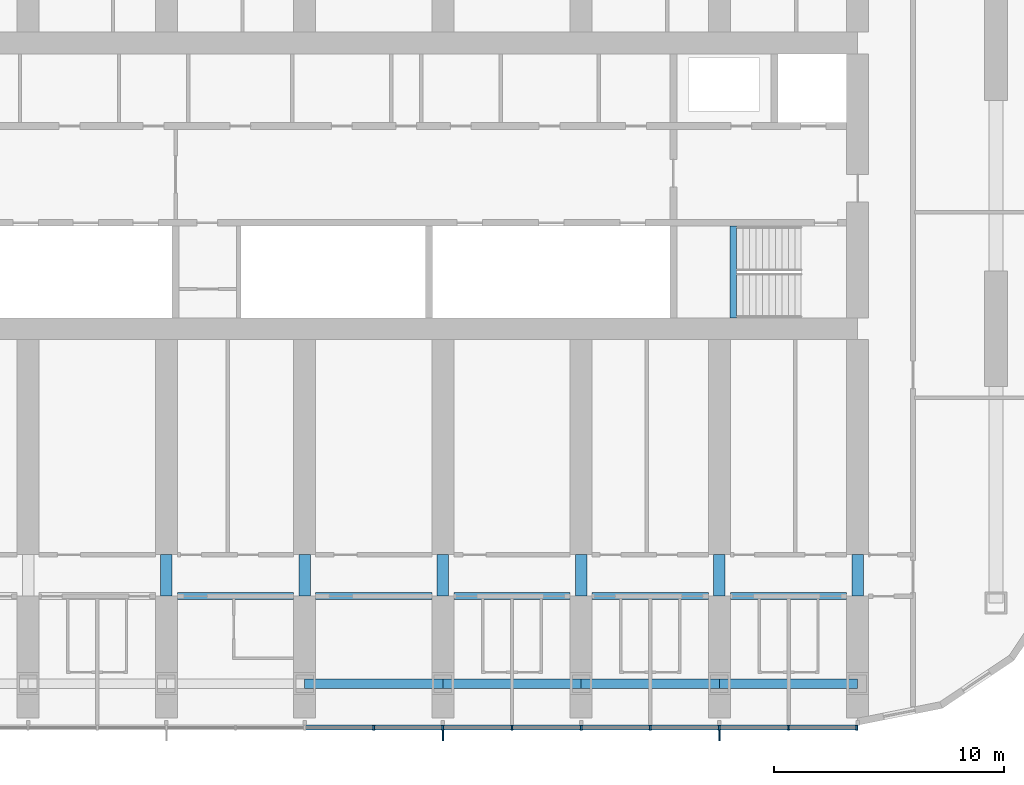
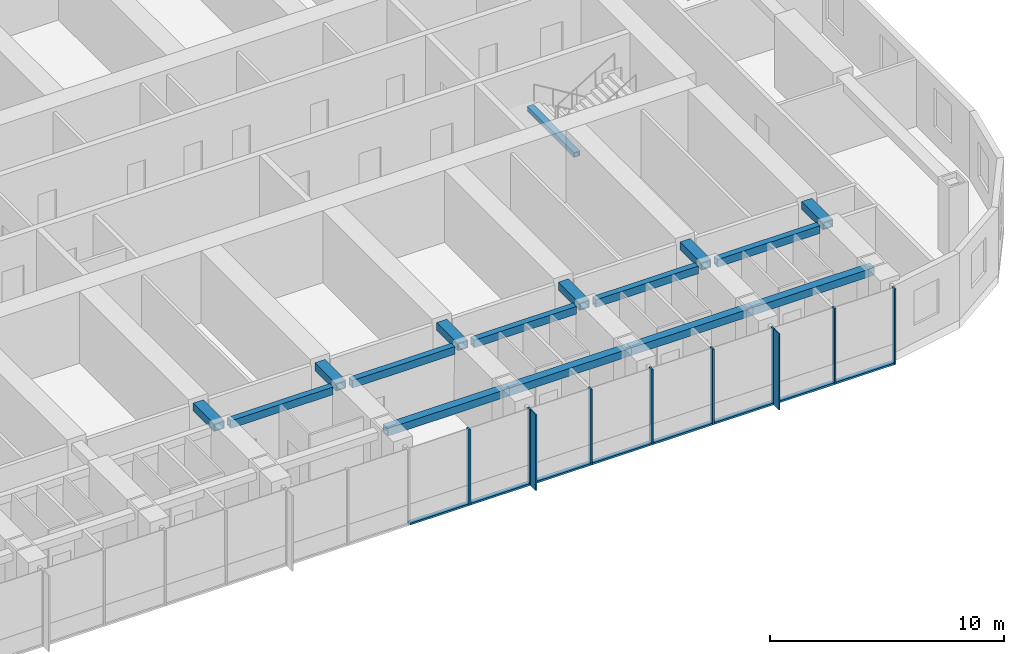
# One storey, part 5 of 26: 18 members, 16 beams, 1 element without a shape of its own.
"""IFC4 building model written with IfcOpenShell, lengths in metres."""

from ifc_helpers import new_model, si_unit, direction, frame, origin, origin_2d, place, context, subcontext, project, spatial, rectangle, hollow_rectangle, extrude, material, material_profile, profile_set, type_object, element, aggregate, save


model = new_model("IFC4")

# Units and contexts
model_context = context("Model", 3, precision=1e-05, world=origin(), true_north=direction((0.0, 1.0)))
body_context = subcontext(model_context, "Body", "Model", "MODEL_VIEW")
ifc_project = project(units=[si_unit("LENGTHUNIT", "METRE"), si_unit("AREAUNIT", "SQUARE_METRE"), si_unit("VOLUMEUNIT", "CUBIC_METRE"), si_unit("PLANEANGLEUNIT", "RADIAN"), si_unit("MASSUNIT", "GRAM", prefix="KILO")], contexts=[model_context])

# Site, building, storey
site_placement = place(None, origin())
site = spatial("IfcSite", under=ifc_project, at=site_placement, CompositionType="ELEMENT")
building_placement = place(site_placement, origin())
building = spatial("IfcBuilding", under=site, at=building_placement, Name="Orbita Commons", CompositionType="ELEMENT")
storey_placement = place(building_placement, frame((0.0, 0.0, 114.39990234375)))
storey = spatial("IfcBuildingStorey", under=building, at=storey_placement, Name="L28", CompositionType="ELEMENT", Elevation=114.39990234375)

# Curtain wall, members
ifc_material_1 = material(Name="Anodised aluminium frame, pale silver", Category="aluminium")
curtain_wall_type = type_object("IfcCurtainWallType", Name="Unitised curtain wall CW-T, vision and spandrel", PredefinedType="NOTDEFINED", material=ifc_material_1)
curtain_wall_placement = place(storey_placement, origin())
curtain_wall = element("IfcCurtainWall", 1, at=curtain_wall_placement, inside=storey, type_object=curtain_wall_type, Name="Curtain wall south L28", PredefinedType="NOTDEFINED")
ifc_material_2 = material(Name="Anodised aluminium, pale silver", Category="aluminium")
ifc_material_profile_1 = material_profile(ifc_material_2, rectangle(XDim=0.080078125, YDim=0.219970703125, at=origin_2d()), Name="AL 80x220")
ifc_profile_set_1 = profile_set([ifc_material_profile_1], Name="Anodised aluminium, pale silver")
member_type_1 = type_object("IfcMemberType", Name="Curtain wall mullion 80x220", PredefinedType="MULLION", material=ifc_profile_set_1)
member_1_placement = place(storey_placement, frame((45.0, 8.489990234375, -0.449951171875), z_axis=(0.0, 0.0, 1.0), x_axis=(1.0, 0.0, 0.0)))
member_1 = element("IfcMember", 2, at=member_1_placement, type_object=member_type_1, Name="Mullion 12 CW-L28-S", PredefinedType="MULLION", context=body_context, shape_type="SweptSolid", body=[
    extrude(rectangle(XDim=0.080078125, YDim=0.219970703125, at=origin_2d()), origin(), (0.0, 0.0, 1.0), 3.949951171875),
])
member_2_placement = place(storey_placement, frame((48.0, 8.489990234375, -0.449951171875), z_axis=(0.0, 0.0, 1.0), x_axis=(1.0, 0.0, 0.0)))
member_2 = element("IfcMember", 3, at=member_2_placement, type_object=member_type_1, Name="Mullion 13 CW-L28-S", PredefinedType="MULLION", context=body_context, shape_type="SweptSolid", body=[
    extrude(rectangle(XDim=0.080078125, YDim=0.219970703125, at=origin_2d()), origin(), (0.0, 0.0, 1.0), 3.949951171875),
])
member_3_placement = place(storey_placement, frame((51.0, 8.489990234375, -0.449951171875), z_axis=(0.0, 0.0, 1.0), x_axis=(1.0, 0.0, 0.0)))
member_3 = element("IfcMember", 4, at=member_3_placement, type_object=member_type_1, Name="Mullion 14 CW-L28-S", PredefinedType="MULLION", context=body_context, shape_type="SweptSolid", body=[
    extrude(rectangle(XDim=0.080078125, YDim=0.219970703125, at=origin_2d()), origin(), (0.0, 0.0, 1.0), 3.949951171875),
])
member_4_placement = place(storey_placement, frame((54.0, 8.489990234375, -0.449951171875), z_axis=(0.0, 0.0, 1.0), x_axis=(1.0, 0.0, 0.0)))
member_4 = element("IfcMember", 5, at=member_4_placement, type_object=member_type_1, Name="Mullion 15 CW-L28-S", PredefinedType="MULLION", context=body_context, shape_type="SweptSolid", body=[
    extrude(rectangle(XDim=0.080078125, YDim=0.219970703125, at=origin_2d()), origin(), (0.0, 0.0, 1.0), 3.949951171875),
])
member_5_placement = place(storey_placement, frame((57.0, 8.489990234375, -0.449951171875), z_axis=(0.0, 0.0, 1.0), x_axis=(1.0, 0.0, 0.0)))
member_5 = element("IfcMember", 6, at=member_5_placement, type_object=member_type_1, Name="Mullion 16 CW-L28-S", PredefinedType="MULLION", context=body_context, shape_type="SweptSolid", body=[
    extrude(rectangle(XDim=0.080078125, YDim=0.219970703125, at=origin_2d()), origin(), (0.0, 0.0, 1.0), 3.949951171875),
])
member_6_placement = place(storey_placement, frame((60.0, 8.489990234375, -0.449951171875), z_axis=(0.0, 0.0, 1.0), x_axis=(1.0, 0.0, 0.0)))
member_6 = element("IfcMember", 7, at=member_6_placement, type_object=member_type_1, Name="Mullion 17 CW-L28-S", PredefinedType="MULLION", context=body_context, shape_type="SweptSolid", body=[
    extrude(rectangle(XDim=0.080078125, YDim=0.219970703125, at=origin_2d()), origin(), (0.0, 0.0, 1.0), 3.949951171875),
])
member_7_placement = place(storey_placement, frame((63.0, 8.489990234375, -0.449951171875), z_axis=(0.0, 0.0, 1.0), x_axis=(1.0, 0.0, 0.0)))
member_7 = element("IfcMember", 8, at=member_7_placement, type_object=member_type_1, Name="Mullion 18 CW-L28-S", PredefinedType="MULLION", context=body_context, shape_type="SweptSolid", body=[
    extrude(rectangle(XDim=0.080078125, YDim=0.219970703125, at=origin_2d()), origin(), (0.0, 0.0, 1.0), 3.949951171875),
])
member_8_placement = place(storey_placement, frame((65.9599609375, 8.489990234375, -0.449951171875), z_axis=(0.0, 0.0, 1.0), x_axis=(1.0, 0.0, 0.0)))
member_8 = element("IfcMember", 9, at=member_8_placement, type_object=member_type_1, Name="Mullion 19 CW-L28-S", PredefinedType="MULLION", context=body_context, shape_type="SweptSolid", body=[
    extrude(rectangle(XDim=0.080078125, YDim=0.219970703125, at=origin_2d()), origin(), (0.0, 0.0, 1.0), 3.949951171875),
])
ifc_material_3 = material(Name="Anodised aluminium, pale silver", Category="aluminium")
ifc_material_profile_2 = material_profile(ifc_material_3, rectangle(XDim=0.219970703125, YDim=0.10009765625, at=origin_2d()), Name="AL 220x100")
ifc_profile_set_2 = profile_set([ifc_material_profile_2], Name="Anodised aluminium, pale silver")
member_type_2 = type_object("IfcMemberType", Name="Curtain wall stack transom 220x100", PredefinedType="USERDEFINED", material=ifc_profile_set_2)
member_9_placement = place(storey_placement, frame((42.0400390625, 8.489990234375, -0.39990234375), z_axis=(1.0, 0.0, 0.0), x_axis=(0.0, 1.0, 0.0)))
member_9 = element("IfcMember", 10, at=member_9_placement, type_object=member_type_2, Name="Transom 11.1 CW-L28-S", ObjectType="TRANSOM", PredefinedType="USERDEFINED", context=body_context, shape_type="SweptSolid", body=[
    extrude(rectangle(XDim=0.219970703125, YDim=0.10009765625, at=origin_2d()), origin(), (0.0, 0.0, 1.0), 2.919921875),
])
member_10_placement = place(storey_placement, frame((45.0400390625, 8.489990234375, -0.39990234375), z_axis=(1.0, 0.0, 0.0), x_axis=(0.0, 1.0, 0.0)))
member_10 = element("IfcMember", 11, at=member_10_placement, type_object=member_type_2, Name="Transom 12.1 CW-L28-S", ObjectType="TRANSOM", PredefinedType="USERDEFINED", context=body_context, shape_type="SweptSolid", body=[
    extrude(rectangle(XDim=0.219970703125, YDim=0.10009765625, at=origin_2d()), origin(), (0.0, 0.0, 1.0), 2.919921875),
])
member_11_placement = place(storey_placement, frame((48.0400390625, 8.489990234375, -0.39990234375), z_axis=(1.0, 0.0, 0.0), x_axis=(0.0, 1.0, 0.0)))
member_11 = element("IfcMember", 12, at=member_11_placement, type_object=member_type_2, Name="Transom 13.1 CW-L28-S", ObjectType="TRANSOM", PredefinedType="USERDEFINED", context=body_context, shape_type="SweptSolid", body=[
    extrude(rectangle(XDim=0.219970703125, YDim=0.10009765625, at=origin_2d()), origin(), (0.0, 0.0, 1.0), 2.919921875),
])
member_12_placement = place(storey_placement, frame((51.0400390625, 8.489990234375, -0.39990234375), z_axis=(1.0, 0.0, 0.0), x_axis=(0.0, 1.0, 0.0)))
member_12 = element("IfcMember", 13, at=member_12_placement, type_object=member_type_2, Name="Transom 14.1 CW-L28-S", ObjectType="TRANSOM", PredefinedType="USERDEFINED", context=body_context, shape_type="SweptSolid", body=[
    extrude(rectangle(XDim=0.219970703125, YDim=0.10009765625, at=origin_2d()), origin(), (0.0, 0.0, 1.0), 2.919921875),
])
member_13_placement = place(storey_placement, frame((54.0400390625, 8.489990234375, -0.39990234375), z_axis=(1.0, 0.0, 0.0), x_axis=(0.0, 1.0, 0.0)))
member_13 = element("IfcMember", 14, at=member_13_placement, type_object=member_type_2, Name="Transom 15.1 CW-L28-S", ObjectType="TRANSOM", PredefinedType="USERDEFINED", context=body_context, shape_type="SweptSolid", body=[
    extrude(rectangle(XDim=0.219970703125, YDim=0.10009765625, at=origin_2d()), origin(), (0.0, 0.0, 1.0), 2.919921875),
])
member_14_placement = place(storey_placement, frame((57.0400390625, 8.489990234375, -0.39990234375), z_axis=(1.0, 0.0, 0.0), x_axis=(0.0, 1.0, 0.0)))
member_14 = element("IfcMember", 15, at=member_14_placement, type_object=member_type_2, Name="Transom 16.1 CW-L28-S", ObjectType="TRANSOM", PredefinedType="USERDEFINED", context=body_context, shape_type="SweptSolid", body=[
    extrude(rectangle(XDim=0.219970703125, YDim=0.10009765625, at=origin_2d()), origin(), (0.0, 0.0, 1.0), 2.919921875),
])
member_15_placement = place(storey_placement, frame((60.0400390625, 8.489990234375, -0.39990234375), z_axis=(1.0, 0.0, 0.0), x_axis=(0.0, 1.0, 0.0)))
member_15 = element("IfcMember", 16, at=member_15_placement, type_object=member_type_2, Name="Transom 17.1 CW-L28-S", ObjectType="TRANSOM", PredefinedType="USERDEFINED", context=body_context, shape_type="SweptSolid", body=[
    extrude(rectangle(XDim=0.219970703125, YDim=0.10009765625, at=origin_2d()), origin(), (0.0, 0.0, 1.0), 2.919921875),
])
member_16_placement = place(storey_placement, frame((63.0400390625, 8.489990234375, -0.39990234375), z_axis=(1.0, 0.0, 0.0), x_axis=(0.0, 1.0, 0.0)))
member_16 = element("IfcMember", 17, at=member_16_placement, type_object=member_type_2, Name="Transom 18.1 CW-L28-S", ObjectType="TRANSOM", PredefinedType="USERDEFINED", context=body_context, shape_type="SweptSolid", body=[
    extrude(rectangle(XDim=0.219970703125, YDim=0.10009765625, at=origin_2d()), origin(), (0.0, 0.0, 1.0), 2.8798828125),
])

# Beams
ifc_material_4 = material(Name="Steel ASTM A572 Gr 50 welded plate", Category="steel")
ifc_material_profile_3 = material_profile(ifc_material_4, hollow_rectangle(XDim=0.300048828125, YDim=0.25, WallThickness=0.02490234375, at=origin_2d()), Name="BOX 250x300x25")
ifc_profile_set_3 = profile_set([ifc_material_profile_3], Name="Steel ASTM A572 Gr 50 welded plate")
beam_type_1 = type_object("IfcBeamType", Name="Stair landing beam steel BOX 250x300x25", PredefinedType="BEAM", material=ifc_profile_set_3)
beam_placement = place(storey_placement, frame((60.60009765625, 26.260009765625, 1.550048828125), z_axis=(0.0, 1.0, 0.0), x_axis=(-1.0, 0.0, 0.0)))
element("IfcBeam", 18, at=beam_placement, inside=storey, type_object=beam_type_1, Name="Stair S2 landing beam L28 1", PredefinedType="BEAM", context=body_context, shape_type="SweptSolid", body=[
    extrude(hollow_rectangle(XDim=0.300048828125, YDim=0.25, WallThickness=0.02490234375, at=origin_2d()), origin(), (0.0, 0.0, 1.0), 4.0048828125),
])
ifc_material_5 = material(Name="Steel ASTM A572 Gr 50 welded plate", Category="steel")
ifc_material_profile_4 = material_profile(ifc_material_5, hollow_rectangle(XDim=0.300048828125, YDim=0.39990234375, WallThickness=0.0400390625, at=origin_2d()), Name="BOX 400x300x40")
ifc_profile_set_4 = profile_set([ifc_material_profile_4], Name="Steel ASTM A572 Gr 50 welded plate")
beam_type_2 = type_object("IfcBeamType", Name="Steel corridor link BOX 400x300x40", PredefinedType="BEAM", material=ifc_profile_set_4)
for number, where, z_axis, x_axis, name in (
    (19, (36.47509765625, 14.199951171875, 3.300048828125), (1.0, 0.0, 0.0), (0.0, 1.0, 0.0), "Corridor beam SA 7-8 L28"),
    (20, (42.47509765625, 14.199951171875, 3.300048828125), (1.0, 0.0, 0.0), (0.0, 1.0, 0.0), "Corridor beam SA 8-9 L28"),
    (21, (48.47509765625, 14.199951171875, 3.300048828125), (1.0, 0.0, 0.0), (0.0, 1.0, 0.0), "Corridor beam SA 9-10 L28"),
    (22, (54.47509765625, 14.199951171875, 3.300048828125), (1.0, 0.0, 0.0), (0.0, 1.0, 0.0), "Corridor beam SA 10-11 L28"),
    (23, (60.47509765625, 14.199951171875, 3.300048828125), (1.0, 0.0, 0.0), (0.0, 1.0, 0.0), "Corridor beam SA 11-12 L28"),
):
    element("IfcBeam", number, at=place(storey_placement, frame(where, z_axis=z_axis, x_axis=x_axis)), inside=storey, type_object=beam_type_2, Name=name, PredefinedType="BEAM", context=body_context, shape_type="SweptSolid", body=[
        extrude(hollow_rectangle(XDim=0.300048828125, YDim=0.39990234375, WallThickness=0.0400390625, at=origin_2d()), origin(), (0.0, 0.0, 1.0), 5.0498046875),
    ])
ifc_material_6 = material(Name="Steel ASTM A572 Gr 50 welded plate", Category="steel")
ifc_material_profile_5 = material_profile(ifc_material_6, hollow_rectangle(XDim=0.5, YDim=0.39990234375, WallThickness=0.050048828125, at=origin_2d()), Name="BOX 400x500x50")
ifc_profile_set_5 = profile_set([ifc_material_profile_5], Name="Steel ASTM A572 Gr 50 welded plate")
beam_type_3 = type_object("IfcBeamType", Name="Steel coupling link BOX 400x500x50", PredefinedType="LINTEL", material=ifc_profile_set_5)
for number, where, z_axis, x_axis, name in (
    (24, (36.0, 14.199951171875, 3.300048828125), (0.0, 1.0, 0.0), (-1.0, 0.0, 0.0), "Coupling beam 7 south L28"),
    (25, (42.0, 14.199951171875, 3.300048828125), (0.0, 1.0, 0.0), (-1.0, 0.0, 0.0), "Coupling beam 8 south L28"),
    (26, (48.0, 14.199951171875, 3.300048828125), (0.0, 1.0, 0.0), (-1.0, 0.0, 0.0), "Coupling beam 9 south L28"),
    (27, (54.0, 14.199951171875, 3.300048828125), (0.0, 1.0, 0.0), (-1.0, 0.0, 0.0), "Coupling beam 10 south L28"),
    (28, (60.0, 14.199951171875, 3.300048828125), (0.0, 1.0, 0.0), (-1.0, 0.0, 0.0), "Coupling beam 11 south L28"),
    (29, (66.0, 14.199951171875, 3.300048828125), (0.0, 1.0, 0.0), (-1.0, 0.0, 0.0), "Coupling beam 12 south L28"),
):
    element("IfcBeam", number, at=place(storey_placement, frame(where, z_axis=z_axis, x_axis=x_axis)), inside=storey, type_object=beam_type_3, Name=name, PredefinedType="LINTEL", context=body_context, shape_type="SweptSolid", body=[
        extrude(hollow_rectangle(XDim=0.5, YDim=0.39990234375, WallThickness=0.050048828125, at=origin_2d()), origin(), (0.0, 0.0, 1.0), 1.800048828125),
    ])
ifc_material_7 = material(Name="Steel ASTM A572 Gr 50 welded plate", Category="steel")
ifc_material_profile_6 = material_profile(ifc_material_7, hollow_rectangle(XDim=0.39990234375, YDim=0.39990234375, WallThickness=0.0400390625, at=origin_2d()), Name="BOX 400x400x40")
ifc_profile_set_6 = profile_set([ifc_material_profile_6], Name="Steel ASTM A572 Gr 50 welded plate")
beam_type_4 = type_object("IfcBeamType", Name="Steel spandrel BOX 400x400x40", PredefinedType="SPANDREL", material=ifc_profile_set_6)
for number, where, z_axis, x_axis, name in (
    (30, (42.0, 10.39990234375, 3.300048828125), (1.0, 0.0, 0.0), (0.0, 1.0, 0.0), "Spandrel beam B 8-9 L28"),
    (31, (48.0, 10.39990234375, 3.300048828125), (1.0, 0.0, 0.0), (0.0, 1.0, 0.0), "Spandrel beam B 9-10 L28"),
    (32, (54.0, 10.39990234375, 3.300048828125), (1.0, 0.0, 0.0), (0.0, 1.0, 0.0), "Spandrel beam B 10-11 L28"),
    (33, (60.0, 10.39990234375, 3.300048828125), (1.0, 0.0, 0.0), (0.0, 1.0, 0.0), "Spandrel beam B 11-12 L28"),
):
    element("IfcBeam", number, at=place(storey_placement, frame(where, z_axis=z_axis, x_axis=x_axis)), inside=storey, type_object=beam_type_4, Name=name, PredefinedType="SPANDREL", context=body_context, shape_type="SweptSolid", body=[
        extrude(hollow_rectangle(XDim=0.39990234375, YDim=0.39990234375, WallThickness=0.0400390625, at=origin_2d()), origin(), (0.0, 0.0, 1.0), 6.0),
    ])

# Member
ifc_material_8 = material(Name="Anodised aluminium, pale silver", Category="aluminium")
ifc_material_profile_7 = material_profile(ifc_material_8, rectangle(XDim=0.06005859375, YDim=0.449951171875, at=origin_2d()), Name="FIN 60x450")
ifc_profile_set_7 = profile_set([ifc_material_profile_7], Name="Anodised aluminium, pale silver")
member_type_3 = type_object("IfcMemberType", Name="Vertical fin 60x450 pale aluminium", PredefinedType="USERDEFINED", material=ifc_profile_set_7)
member_17_placement = place(storey_placement, frame((48.0, 8.155029296875, -0.449951171875), z_axis=(0.0, 0.0, 1.0), x_axis=(1.0, 0.0, 0.0)))
member_17 = element("IfcMember", 34, at=member_17_placement, type_object=member_type_3, Name="Fin 13 CW-L28-S", ObjectType="FIN", PredefinedType="USERDEFINED", context=body_context, shape_type="SweptSolid", body=[
    extrude(rectangle(XDim=0.06005859375, YDim=0.449951171875, at=origin_2d()), origin(), (0.0, 0.0, 1.0), 3.949951171875),
])

member_18_placement = place(storey_placement, frame((60.0, 8.155029296875, -0.449951171875), z_axis=(0.0, 0.0, 1.0), x_axis=(1.0, 0.0, 0.0)))
member_18 = element("IfcMember", 35, at=member_18_placement, type_object=member_type_3, Name="Fin 17 CW-L28-S", ObjectType="FIN", PredefinedType="USERDEFINED", context=body_context, shape_type="SweptSolid", body=[
    extrude(rectangle(XDim=0.06005859375, YDim=0.449951171875, at=origin_2d()), origin(), (0.0, 0.0, 1.0), 3.949951171875),
])

aggregate(curtain_wall, [member_1, member_2, member_17, member_3, member_4, member_5, member_6, member_18, member_7, member_8, member_9, member_10, member_11, member_12, member_13, member_14, member_15, member_16])

save(model, "model.ifc")
